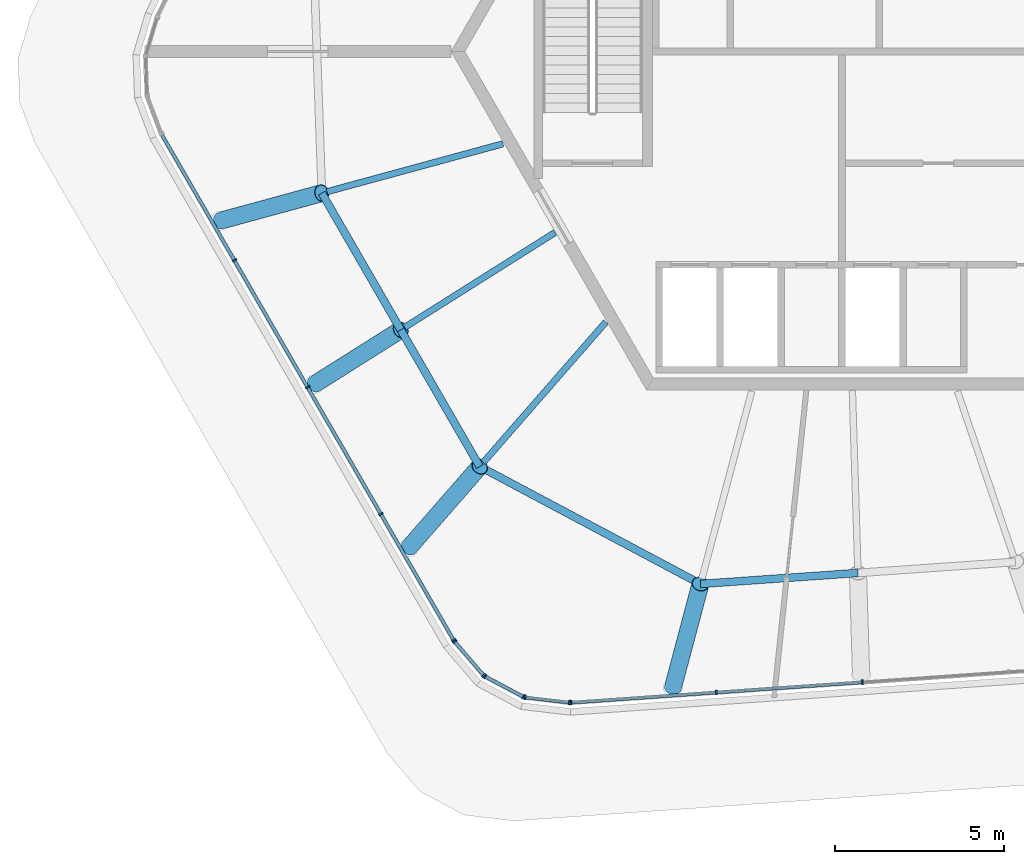
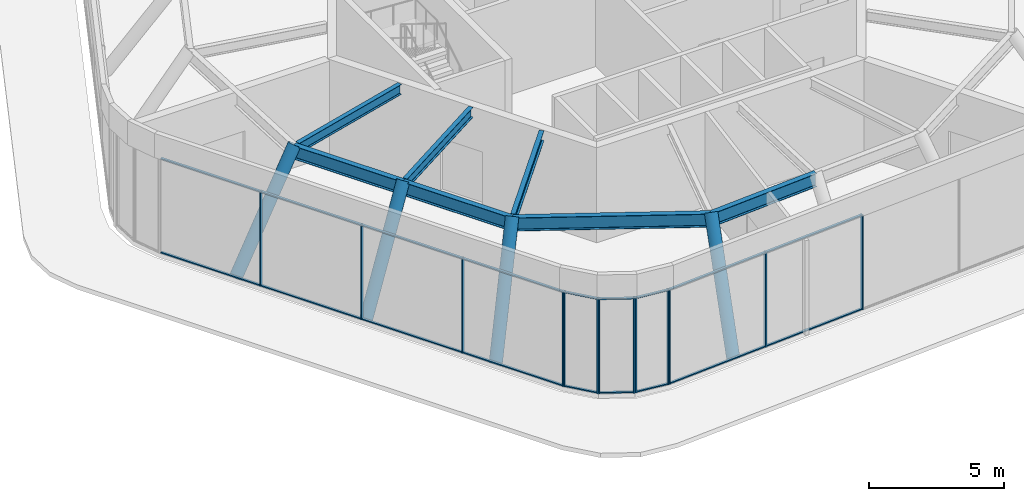
# One storey, part 1 of 12: 35 members, 7 beams, 5 elements without a shape of their own.
"""IFC4 building model written with IfcOpenShell, lengths in metres."""

from ifc_helpers import new_model, si_unit, direction, frame, origin, origin_2d, place, context, subcontext, project, spatial, rectangle, hollow_circle, i_section, extrude, material, material_profile, profile_set, type_object, element, aggregate, save


model = new_model("IFC4")

# Units and contexts
model_context = context("Model", 3, precision=1e-05, world=origin(), true_north=direction((0.0, 1.0)))
body_context = subcontext(model_context, "Body", "Model", "MODEL_VIEW")
ifc_project = project(units=[si_unit("LENGTHUNIT", "METRE"), si_unit("AREAUNIT", "SQUARE_METRE"), si_unit("VOLUMEUNIT", "CUBIC_METRE"), si_unit("PLANEANGLEUNIT", "RADIAN"), si_unit("MASSUNIT", "GRAM", prefix="KILO")], contexts=[model_context])

# Site, building, storey
site_placement = place(None, origin())
site = spatial("IfcSite", under=ifc_project, at=site_placement, CompositionType="ELEMENT")
building_placement = place(site_placement, origin())
building = spatial("IfcBuilding", under=site, at=building_placement, Name="Tarnside Tower", CompositionType="ELEMENT")
storey_placement = place(building_placement, frame((0.0, 0.0, 392.699951171875)))
storey = spatial("IfcBuildingStorey", under=building, at=storey_placement, Name="L93", CompositionType="ELEMENT", Elevation=392.699951171875)

# Curtain wall, members
ifc_material_1 = material(Name="Crown glazing wall", Category="glass")
curtain_wall_type = type_object("IfcCurtainWallType", Name="Crown glazing wall", PredefinedType="NOTDEFINED", material=ifc_material_1)
curtain_wall_1_placement = place(storey_placement, origin())
curtain_wall_1 = element("IfcCurtainWall", 1, at=curtain_wall_1_placement, inside=storey, type_object=curtain_wall_type, Name="Crown glazing L93 12", PredefinedType="NOTDEFINED")
ifc_material_2 = material(Name="Aluminium alloy 6063", Category="aluminium")
ifc_material_profile_1 = material_profile(ifc_material_2, rectangle(XDim=0.139892578125, YDim=0.050048828125, at=origin_2d()), Name="Crown glazing mullion 50 x 140")
ifc_profile_set_1 = profile_set([ifc_material_profile_1], Name="Aluminium alloy 6063")
member_type_1 = type_object("IfcMemberType", Name="Crown glazing mullion 50 x 140", PredefinedType="MULLION", material=ifc_profile_set_1)
member_1_placement = place(storey_placement, frame((0.603759765625, -18.63330078125, 0.0), z_axis=(0.0, 0.0, 1.0), x_axis=(0.069756473727, -0.997564050261, 0.0)))
member_1 = element("IfcMember", 2, at=member_1_placement, type_object=member_type_1, Name="CW6 mullion 3", PredefinedType="MULLION", context=body_context, shape_type="SweptSolid", body=[
    extrude(rectangle(XDim=0.139892578125, YDim=0.050048828125, at=origin_2d()), origin(), (0.0, 0.0, 1.0), 4.300048828125),
])
member_2_placement = place(storey_placement, frame((-3.713134765625, -18.93505859375, 0.0), z_axis=(0.0, 0.0, 1.0), x_axis=(0.069756473727, -0.997564050261, 0.0)))
member_2 = element("IfcMember", 3, at=member_2_placement, type_object=member_type_1, Name="CW6 mullion 4", PredefinedType="MULLION", context=body_context, shape_type="SweptSolid", body=[
    extrude(rectangle(XDim=0.139892578125, YDim=0.050048828125, at=origin_2d()), origin(), (0.0, 0.0, 1.0), 4.300048828125),
])
member_3_placement = place(storey_placement, frame((-8.005126953125, -19.2353515625, 0.0), z_axis=(0.0, 0.0, 1.0), x_axis=(0.069756473727, -0.997564050261, 0.0)))
member_3 = element("IfcMember", 4, at=member_3_placement, type_object=member_type_1, Name="CW6 mullion 5", PredefinedType="MULLION", context=body_context, shape_type="SweptSolid", body=[
    extrude(rectangle(XDim=0.139892578125, YDim=0.050048828125, at=origin_2d()), origin(), (0.0, 0.0, 1.0), 4.300048828125),
])

curtain_wall_2_placement = place(storey_placement, origin())
curtain_wall_2 = element("IfcCurtainWall", 5, at=curtain_wall_2_placement, inside=storey, type_object=curtain_wall_type, Name="Crown glazing L93 13", PredefinedType="NOTDEFINED")
member_4_placement = place(storey_placement, frame((-8.054931640625, -19.234130859375, 0.0), z_axis=(0.0, 0.0, 1.0), x_axis=(-0.116092914183, -0.993238357735, 0.0)))
member_4 = element("IfcMember", 6, at=member_4_placement, type_object=member_type_1, Name="CW6 mullion 1", PredefinedType="MULLION", context=body_context, shape_type="SweptSolid", body=[
    extrude(rectangle(XDim=0.139892578125, YDim=0.050048828125, at=origin_2d()), origin(), (0.0, 0.0, 1.0), 4.300048828125),
])
member_5_placement = place(storey_placement, frame((-9.359375, -19.08154296875, 0.0), z_axis=(0.0, 0.0, 1.0), x_axis=(-0.116092914183, -0.993238357735, 0.0)))
member_5 = element("IfcMember", 7, at=member_5_placement, type_object=member_type_1, Name="CW6 mullion 2", PredefinedType="MULLION", context=body_context, shape_type="SweptSolid", body=[
    extrude(rectangle(XDim=0.139892578125, YDim=0.050048828125, at=origin_2d()), origin(), (0.0, 0.0, 1.0), 4.300048828125),
])

curtain_wall_3_placement = place(storey_placement, origin())
curtain_wall_3 = element("IfcCurtainWall", 8, at=curtain_wall_3_placement, inside=storey, type_object=curtain_wall_type, Name="Crown glazing L93 14", PredefinedType="NOTDEFINED")
member_6_placement = place(storey_placement, frame((-9.40625, -19.06689453125, 0.0), z_axis=(0.0, 0.0, 1.0), x_axis=(-0.469471562524, -0.882947592998, 0.0)))
member_6 = element("IfcMember", 9, at=member_6_placement, type_object=member_type_1, Name="CW6 mullion 1", PredefinedType="MULLION", context=body_context, shape_type="SweptSolid", body=[
    extrude(rectangle(XDim=0.139892578125, YDim=0.050048828125, at=origin_2d()), origin(), (0.0, 0.0, 1.0), 4.300048828125),
])
member_7_placement = place(storey_placement, frame((-10.54736328125, -18.460205078125, 0.0), z_axis=(0.0, 0.0, 1.0), x_axis=(-0.469471562524, -0.882947592998, 0.0)))
member_7 = element("IfcMember", 10, at=member_7_placement, type_object=member_type_1, Name="CW6 mullion 2", PredefinedType="MULLION", context=body_context, shape_type="SweptSolid", body=[
    extrude(rectangle(XDim=0.139892578125, YDim=0.050048828125, at=origin_2d()), origin(), (0.0, 0.0, 1.0), 4.300048828125),
])

curtain_wall_4_placement = place(storey_placement, origin())
curtain_wall_4 = element("IfcCurtainWall", 11, at=curtain_wall_4_placement, inside=storey, type_object=curtain_wall_type, Name="Crown glazing L93 15", PredefinedType="NOTDEFINED")
member_8_placement = place(storey_placement, frame((-10.585693359375, -18.4296875, 0.0), z_axis=(0.0, 0.0, 1.0), x_axis=(-0.75851358355, -0.651657228588, 0.0)))
member_8 = element("IfcMember", 12, at=member_8_placement, type_object=member_type_1, Name="CW6 mullion 1", PredefinedType="MULLION", context=body_context, shape_type="SweptSolid", body=[
    extrude(rectangle(XDim=0.139892578125, YDim=0.050048828125, at=origin_2d()), origin(), (0.0, 0.0, 1.0), 4.300048828125),
])
member_9_placement = place(storey_placement, frame((-11.44140625, -17.433349609375, 0.0), z_axis=(0.0, 0.0, 1.0), x_axis=(-0.75851358355, -0.651657228588, 0.0)))
member_9 = element("IfcMember", 13, at=member_9_placement, type_object=member_type_1, Name="CW6 mullion 2", PredefinedType="MULLION", context=body_context, shape_type="SweptSolid", body=[
    extrude(rectangle(XDim=0.139892578125, YDim=0.050048828125, at=origin_2d()), origin(), (0.0, 0.0, 1.0), 4.300048828125),
])

curtain_wall_5_placement = place(storey_placement, origin())
curtain_wall_5 = element("IfcCurtainWall", 14, at=curtain_wall_5_placement, inside=storey, type_object=curtain_wall_type, Name="Crown glazing L93 16", PredefinedType="NOTDEFINED")
member_10_placement = place(storey_placement, frame((-11.47021484375, -17.392822265625, 0.0), z_axis=(0.0, 0.0, 1.0), x_axis=(-0.866025403758, -0.500000000045, 0.0)))
member_10 = element("IfcMember", 15, at=member_10_placement, type_object=member_type_1, Name="CW6 mullion 1", PredefinedType="MULLION", context=body_context, shape_type="SweptSolid", body=[
    extrude(rectangle(XDim=0.139892578125, YDim=0.050048828125, at=origin_2d()), origin(), (0.0, 0.0, 1.0), 4.300048828125),
])
member_11_placement = place(storey_placement, frame((-13.62158203125, -13.666748046875, 0.0), z_axis=(0.0, 0.0, 1.0), x_axis=(-0.866025403758, -0.500000000045, 0.0)))
member_11 = element("IfcMember", 16, at=member_11_placement, type_object=member_type_1, Name="CW6 mullion 2", PredefinedType="MULLION", context=body_context, shape_type="SweptSolid", body=[
    extrude(rectangle(XDim=0.139892578125, YDim=0.050048828125, at=origin_2d()), origin(), (0.0, 0.0, 1.0), 4.300048828125),
])
member_12_placement = place(storey_placement, frame((-15.785400390625, -9.9189453125, 0.0), z_axis=(0.0, 0.0, 1.0), x_axis=(-0.866025403758, -0.500000000045, 0.0)))
member_12 = element("IfcMember", 17, at=member_12_placement, type_object=member_type_1, Name="CW6 mullion 3", PredefinedType="MULLION", context=body_context, shape_type="SweptSolid", body=[
    extrude(rectangle(XDim=0.139892578125, YDim=0.050048828125, at=origin_2d()), origin(), (0.0, 0.0, 1.0), 4.300048828125),
])
member_13_placement = place(storey_placement, frame((-17.94921875, -6.171142578125, 0.0), z_axis=(0.0, 0.0, 1.0), x_axis=(-0.866025403758, -0.500000000045, 0.0)))
member_13 = element("IfcMember", 18, at=member_13_placement, type_object=member_type_1, Name="CW6 mullion 4", PredefinedType="MULLION", context=body_context, shape_type="SweptSolid", body=[
    extrude(rectangle(XDim=0.139892578125, YDim=0.050048828125, at=origin_2d()), origin(), (0.0, 0.0, 1.0), 4.300048828125),
])

# Member
ifc_material_profile_2 = material_profile(ifc_material_2, rectangle(XDim=0.10009765625, YDim=0.050048828125, at=origin_2d()), Name="Crown glazing transom 50 x 100")
ifc_profile_set_2 = profile_set([ifc_material_profile_2], Name="Aluminium alloy 6063")
member_type_2 = type_object("IfcMemberType", Name="Crown glazing transom 50 x 100", PredefinedType="USERDEFINED", material=ifc_profile_set_2)
member_14_placement = place(storey_placement, frame((0.578857421875, -18.635009765625, 0.025146484375), z_axis=(-0.997564768363, -0.069746203624, 0.0), x_axis=(0.069746203624, -0.997564768363, 0.0)))
member_14 = element("IfcMember", 19, at=member_14_placement, type_object=member_type_2, Name="CW6 transom 3.1", ObjectType="TRANSOM", PredefinedType="USERDEFINED", context=body_context, shape_type="SweptSolid", body=[
    extrude(rectangle(XDim=0.10009765625, YDim=0.050048828125, at=origin_2d()), origin(), (0.0, 0.0, 1.0), 4.277587890625),
])

member_15_placement = place(storey_placement, frame((0.578857421875, -18.635009765625, 4.275146484375), z_axis=(-0.997564768363, -0.069746203624, 0.0), x_axis=(0.069746203624, -0.997564768363, 0.0)))
member_15 = element("IfcMember", 20, at=member_15_placement, type_object=member_type_2, Name="CW6 transom 3.2", ObjectType="TRANSOM", PredefinedType="USERDEFINED", context=body_context, shape_type="SweptSolid", body=[
    extrude(rectangle(XDim=0.10009765625, YDim=0.050048828125, at=origin_2d()), origin(), (0.0, 0.0, 1.0), 4.277587890625),
])

member_16_placement = place(storey_placement, frame((-3.738037109375, -18.936767578125, 0.025146484375), z_axis=(-0.997560246693, -0.069810845993, 0.0), x_axis=(0.069810845993, -0.997560246693, 0.0)))
member_16 = element("IfcMember", 21, at=member_16_placement, type_object=member_type_2, Name="CW6 transom 4.1", ObjectType="TRANSOM", PredefinedType="USERDEFINED", context=body_context, shape_type="SweptSolid", body=[
    extrude(rectangle(XDim=0.10009765625, YDim=0.050048828125, at=origin_2d()), origin(), (0.0, 0.0, 1.0), 4.25244140625),
])

member_17_placement = place(storey_placement, frame((-3.738037109375, -18.936767578125, 4.275146484375), z_axis=(-0.997560246693, -0.069810845993, 0.0), x_axis=(0.069810845993, -0.997560246693, 0.0)))
member_17 = element("IfcMember", 22, at=member_17_placement, type_object=member_type_2, Name="CW6 transom 4.2", ObjectType="TRANSOM", PredefinedType="USERDEFINED", context=body_context, shape_type="SweptSolid", body=[
    extrude(rectangle(XDim=0.10009765625, YDim=0.050048828125, at=origin_2d()), origin(), (0.0, 0.0, 1.0), 4.25244140625),
])

aggregate(curtain_wall_1, [member_1, member_2, member_3, member_14, member_15, member_16, member_17])

member_18_placement = place(storey_placement, frame((-8.079833984375, -19.231201171875, 0.025146484375), z_axis=(-0.993230844272, 0.116157177935, 0.0), x_axis=(-0.116157177935, -0.993230844272, 0.0)))
member_18 = element("IfcMember", 23, at=member_18_placement, type_object=member_type_2, Name="CW6 transom 1.1", ObjectType="TRANSOM", PredefinedType="USERDEFINED", context=body_context, shape_type="SweptSolid", body=[
    extrude(rectangle(XDim=0.10009765625, YDim=0.050048828125, at=origin_2d()), origin(), (0.0, 0.0, 1.0), 1.26318359375),
])

member_19_placement = place(storey_placement, frame((-8.079833984375, -19.231201171875, 4.275146484375), z_axis=(-0.993230844272, 0.116157177935, 0.0), x_axis=(-0.116157177935, -0.993230844272, 0.0)))
member_19 = element("IfcMember", 24, at=member_19_placement, type_object=member_type_2, Name="CW6 transom 1.2", ObjectType="TRANSOM", PredefinedType="USERDEFINED", context=body_context, shape_type="SweptSolid", body=[
    extrude(rectangle(XDim=0.10009765625, YDim=0.050048828125, at=origin_2d()), origin(), (0.0, 0.0, 1.0), 1.26318359375),
])

aggregate(curtain_wall_2, [member_4, member_5, member_18, member_19])

member_20_placement = place(storey_placement, frame((-9.42822265625, -19.05517578125, 0.025146484375), z_axis=(-0.882988490204, 0.469394637983, 0.0), x_axis=(-0.469394637983, -0.882988490204, 0.0)))
member_20 = element("IfcMember", 25, at=member_20_placement, type_object=member_type_2, Name="CW6 transom 1.1", ObjectType="TRANSOM", PredefinedType="USERDEFINED", context=body_context, shape_type="SweptSolid", body=[
    extrude(rectangle(XDim=0.10009765625, YDim=0.050048828125, at=origin_2d()), origin(), (0.0, 0.0, 1.0), 1.24267578125),
])

member_21_placement = place(storey_placement, frame((-9.42822265625, -19.05517578125, 4.275146484375), z_axis=(-0.882988490204, 0.469394637983, 0.0), x_axis=(-0.469394637983, -0.882988490204, 0.0)))
member_21 = element("IfcMember", 26, at=member_21_placement, type_object=member_type_2, Name="CW6 transom 1.2", ObjectType="TRANSOM", PredefinedType="USERDEFINED", context=body_context, shape_type="SweptSolid", body=[
    extrude(rectangle(XDim=0.10009765625, YDim=0.050048828125, at=origin_2d()), origin(), (0.0, 0.0, 1.0), 1.24267578125),
])

aggregate(curtain_wall_3, [member_6, member_7, member_20, member_21])

member_22_placement = place(storey_placement, frame((-10.60205078125, -18.41064453125, 0.025146484375), z_axis=(-0.65165036566, 0.758519479602, 0.0), x_axis=(-0.758519479602, -0.65165036566, 0.0)))
member_22 = element("IfcMember", 27, at=member_22_placement, type_object=member_type_2, Name="CW6 transom 1.1", ObjectType="TRANSOM", PredefinedType="USERDEFINED", context=body_context, shape_type="SweptSolid", body=[
    extrude(rectangle(XDim=0.10009765625, YDim=0.050048828125, at=origin_2d()), origin(), (0.0, 0.0, 1.0), 1.263427734375),
])

member_23_placement = place(storey_placement, frame((-10.60205078125, -18.41064453125, 4.275146484375), z_axis=(-0.65165036566, 0.758519479602, 0.0), x_axis=(-0.758519479602, -0.65165036566, 0.0)))
member_23 = element("IfcMember", 28, at=member_23_placement, type_object=member_type_2, Name="CW6 transom 1.2", ObjectType="TRANSOM", PredefinedType="USERDEFINED", context=body_context, shape_type="SweptSolid", body=[
    extrude(rectangle(XDim=0.10009765625, YDim=0.050048828125, at=origin_2d()), origin(), (0.0, 0.0, 1.0), 1.263427734375),
])

aggregate(curtain_wall_4, [member_8, member_9, member_22, member_23])

member_24_placement = place(storey_placement, frame((-11.48291015625, -17.37109375, 0.025146484375), z_axis=(-0.500010702031, 0.866019224876, 0.0), x_axis=(-0.866019224876, -0.500010702031, 0.0)))
member_24 = element("IfcMember", 29, at=member_24_placement, type_object=member_type_2, Name="CW6 transom 1.1", ObjectType="TRANSOM", PredefinedType="USERDEFINED", context=body_context, shape_type="SweptSolid", body=[
    extrude(rectangle(XDim=0.10009765625, YDim=0.050048828125, at=origin_2d()), origin(), (0.0, 0.0, 1.0), 4.25244140625),
])

member_25_placement = place(storey_placement, frame((-11.48291015625, -17.37109375, 4.275146484375), z_axis=(-0.500010702031, 0.866019224876, 0.0), x_axis=(-0.866019224876, -0.500010702031, 0.0)))
member_25 = element("IfcMember", 30, at=member_25_placement, type_object=member_type_2, Name="CW6 transom 1.2", ObjectType="TRANSOM", PredefinedType="USERDEFINED", context=body_context, shape_type="SweptSolid", body=[
    extrude(rectangle(XDim=0.10009765625, YDim=0.050048828125, at=origin_2d()), origin(), (0.0, 0.0, 1.0), 4.25244140625),
])

member_26_placement = place(storey_placement, frame((-13.634033203125, -13.64501953125, 0.025146484375), z_axis=(-0.500037000009, 0.866004040765, 0.0), x_axis=(-0.866004040765, -0.500037000009, 0.0)))
member_26 = element("IfcMember", 31, at=member_26_placement, type_object=member_type_2, Name="CW6 transom 2.1", ObjectType="TRANSOM", PredefinedType="USERDEFINED", context=body_context, shape_type="SweptSolid", body=[
    extrude(rectangle(XDim=0.10009765625, YDim=0.050048828125, at=origin_2d()), origin(), (0.0, 0.0, 1.0), 4.277587890625),
])

member_27_placement = place(storey_placement, frame((-13.634033203125, -13.64501953125, 4.275146484375), z_axis=(-0.500037000009, 0.866004040765, 0.0), x_axis=(-0.866004040765, -0.500037000009, 0.0)))
member_27 = element("IfcMember", 32, at=member_27_placement, type_object=member_type_2, Name="CW6 transom 2.2", ObjectType="TRANSOM", PredefinedType="USERDEFINED", context=body_context, shape_type="SweptSolid", body=[
    extrude(rectangle(XDim=0.10009765625, YDim=0.050048828125, at=origin_2d()), origin(), (0.0, 0.0, 1.0), 4.277587890625),
])

member_28_placement = place(storey_placement, frame((-15.7978515625, -9.897216796875, 0.025146484375), z_axis=(-0.499994193788, 0.866028755976, 0.0), x_axis=(-0.866028755976, -0.499994193788, 0.0)))
member_28 = element("IfcMember", 33, at=member_28_placement, type_object=member_type_2, Name="CW6 transom 3.1", ObjectType="TRANSOM", PredefinedType="USERDEFINED", context=body_context, shape_type="SweptSolid", body=[
    extrude(rectangle(XDim=0.10009765625, YDim=0.050048828125, at=origin_2d()), origin(), (0.0, 0.0, 1.0), 4.27734375),
])

member_29_placement = place(storey_placement, frame((-15.7978515625, -9.897216796875, 4.275146484375), z_axis=(-0.499994193788, 0.866028755976, 0.0), x_axis=(-0.866028755976, -0.499994193788, 0.0)))
member_29 = element("IfcMember", 34, at=member_29_placement, type_object=member_type_2, Name="CW6 transom 3.2", ObjectType="TRANSOM", PredefinedType="USERDEFINED", context=body_context, shape_type="SweptSolid", body=[
    extrude(rectangle(XDim=0.10009765625, YDim=0.050048828125, at=origin_2d()), origin(), (0.0, 0.0, 1.0), 4.27734375),
])

member_30_placement = place(storey_placement, frame((-17.961669921875, -6.149658203125, 0.025146484375), z_axis=(-0.499985842104, 0.866033577695, 0.0), x_axis=(-0.866033577695, -0.499985842104, 0.0)))
member_30 = element("IfcMember", 35, at=member_30_placement, type_object=member_type_2, Name="CW6 transom 4.1", ObjectType="TRANSOM", PredefinedType="USERDEFINED", context=body_context, shape_type="SweptSolid", body=[
    extrude(rectangle(XDim=0.10009765625, YDim=0.050048828125, at=origin_2d()), origin(), (0.0, 0.0, 1.0), 4.25244140625),
])

member_31_placement = place(storey_placement, frame((-17.961669921875, -6.149658203125, 4.275146484375), z_axis=(-0.499985842104, 0.866033577695, 0.0), x_axis=(-0.866033577695, -0.499985842104, 0.0)))
member_31 = element("IfcMember", 36, at=member_31_placement, type_object=member_type_2, Name="CW6 transom 4.2", ObjectType="TRANSOM", PredefinedType="USERDEFINED", context=body_context, shape_type="SweptSolid", body=[
    extrude(rectangle(XDim=0.10009765625, YDim=0.050048828125, at=origin_2d()), origin(), (0.0, 0.0, 1.0), 4.25244140625),
])

aggregate(curtain_wall_5, [member_10, member_11, member_12, member_13, member_24, member_25, member_26, member_27, member_28, member_29, member_30, member_31])

# Beams
ifc_material_3 = material(Name="Steel S355", Category="steel")
ifc_material_profile_3 = material_profile(ifc_material_3, i_section(OverallWidth=0.18994140625, OverallDepth=0.453369140625, WebThickness=0.008544921875, FlangeThickness=0.0126953125, FilletRadius=0.01025390625, at=origin_2d()), Name="UB 457x191x67")
ifc_profile_set_3 = profile_set([ifc_material_profile_3], Name="Steel S355")
beam_type_1 = type_object("IfcBeamType", Name="Floor beam UB 457x191x67", PredefinedType="BEAM", material=ifc_profile_set_3)
beam_1_placement = place(storey_placement, frame((-15.21484375, -4.142333984375, 4.0732421875), z_axis=(0.964882951139, 0.262680205956, 0.0), x_axis=(-0.262680205956, 0.964882951139, 0.0)))
element("IfcBeam", 37, at=beam_1_placement, inside=storey, type_object=beam_type_1, Name="Floor beam RB7", PredefinedType="BEAM", context=body_context, shape_type="SweptSolid", body=[
    extrude(i_section(OverallWidth=0.18994140625, OverallDepth=0.453369140625, WebThickness=0.008544921875, FlangeThickness=0.0126953125, FilletRadius=0.01025390625, at=origin_2d()), origin(), (0.0, 0.0, 1.0), 5.386962890625),
])
beam_2_placement = place(storey_placement, frame((-12.921875, -8.151123046875, 4.0732421875), z_axis=(0.845799255141, 0.533501283975, 0.0), x_axis=(-0.533501283975, 0.845799255141, 0.0)))
element("IfcBeam", 38, at=beam_2_placement, inside=storey, type_object=beam_type_1, Name="Floor beam RB8", PredefinedType="BEAM", context=body_context, shape_type="SweptSolid", body=[
    extrude(i_section(OverallWidth=0.18994140625, OverallDepth=0.453369140625, WebThickness=0.008544921875, FlangeThickness=0.0126953125, FilletRadius=0.01025390625, at=origin_2d()), origin(), (0.0, 0.0, 1.0), 5.250244140625),
])
beam_3_placement = place(storey_placement, frame((-10.597900390625, -12.140869140625, 4.0732421875), z_axis=(0.657603335996, 0.753364355732, 0.0), x_axis=(-0.753364355732, 0.657603335996, 0.0)))
element("IfcBeam", 39, at=beam_3_placement, inside=storey, type_object=beam_type_1, Name="Floor beam RB9", PredefinedType="BEAM", context=body_context, shape_type="SweptSolid", body=[
    extrude(i_section(OverallWidth=0.18994140625, OverallDepth=0.453369140625, WebThickness=0.008544921875, FlangeThickness=0.0126953125, FilletRadius=0.01025390625, at=origin_2d()), origin(), (0.0, 0.0, 1.0), 5.5068359375),
])
ifc_material_profile_4 = material_profile(ifc_material_3, i_section(OverallWidth=0.2275390625, OverallDepth=0.6025390625, WebThickness=0.010498046875, FlangeThickness=0.014892578125, FilletRadius=0.0126953125, at=origin_2d()), Name="UB 610x229x101")
ifc_profile_set_4 = profile_set([ifc_material_profile_4], Name="Steel S355")
beam_type_2 = type_object("IfcBeamType", Name="Floor beam UB 610x229x101", PredefinedType="BEAM", material=ifc_profile_set_4)
for number, where, z_axis, x_axis, name in (
    (40, (-15.366943359375, -4.18359375, 3.998779296875), (0.499973190387, -0.866040881768, 0.0), (0.866040881768, 0.499973190387, 0.0), "Floor beam R7"),
    (41, (-13.03515625, -8.22265625, 3.998779296875), (0.500035118921, -0.866005126917, 0.0), (0.866005126917, 0.500035118921, 0.0), "Floor beam R8"),
):
    element("IfcBeam", number, at=place(storey_placement, frame(where, z_axis=z_axis, x_axis=x_axis)), inside=storey, type_object=beam_type_2, Name=name, PredefinedType="BEAM", context=body_context, shape_type="SweptSolid", body=[
        extrude(i_section(OverallWidth=0.2275390625, OverallDepth=0.6025390625, WebThickness=0.010498046875, FlangeThickness=0.014892578125, FilletRadius=0.0126953125, at=origin_2d()), origin(), (0.0, 0.0, 1.0), 4.663818359375),
    ])
beam_4_placement = place(storey_placement, frame((-10.703125, -12.261474609375, 3.998779296875), z_axis=(0.882936806438, -0.469491848531, 0.0), x_axis=(0.469491848531, 0.882936806438, 0.0)))
element("IfcBeam", 42, at=beam_4_placement, inside=storey, type_object=beam_type_2, Name="Floor beam R9", PredefinedType="BEAM", context=body_context, shape_type="SweptSolid", body=[
    extrude(i_section(OverallWidth=0.2275390625, OverallDepth=0.6025390625, WebThickness=0.010498046875, FlangeThickness=0.014892578125, FilletRadius=0.0126953125, at=origin_2d()), origin(), (0.0, 0.0, 1.0), 7.3876953125),
])
beam_5_placement = place(storey_placement, frame((-4.18017578125, -15.72998046875, 3.998779296875), z_axis=(0.997562575716, 0.069777557508, 0.0), x_axis=(-0.069777557508, 0.997562575716, 0.0)))
element("IfcBeam", 43, at=beam_5_placement, inside=storey, type_object=beam_type_2, Name="Floor beam R10", PredefinedType="BEAM", context=body_context, shape_type="SweptSolid", body=[
    extrude(i_section(OverallWidth=0.2275390625, OverallDepth=0.6025390625, WebThickness=0.010498046875, FlangeThickness=0.014892578125, FilletRadius=0.0126953125, at=origin_2d()), origin(), (0.0, 0.0, 1.0), 4.6640625),
])

# Members
ifc_material_profile_5 = material_profile(ifc_material_3, hollow_circle(Radius=0.25390625, WallThickness=0.01611328125, at=origin_2d()), Name="CHS 508x16")
ifc_profile_set_5 = profile_set([ifc_material_profile_5], Name="Steel S355")
member_type_3 = type_object("IfcMemberType", Name="Truss diagonal CHS 508x16", PredefinedType="BRACE", material=ifc_profile_set_5)
member_32_placement = place(storey_placement, frame((-18.360595703125, -4.998779296875, -0.199951171875), z_axis=(0.547692301454, 0.149139177504, 0.823280419214), x_axis=(-0.262737869126, 0.964867251039, 0.0)))
element("IfcMember", 44, at=member_32_placement, inside=storey, type_object=member_type_3, Name="Crown leg L93 7", PredefinedType="BRACE", context=body_context, shape_type="SweptSolid", body=[
    extrude(hollow_circle(Radius=0.25390625, WallThickness=0.01611328125, at=origin_2d()), origin(), (0.0, 0.0, 1.0), 5.4658203125),
])
member_33_placement = place(storey_placement, frame((-15.574462890625, -9.824462890625, -0.199951171875), z_axis=(0.469406741932, 0.296103993252, 0.831853193664), x_axis=(-0.533524809985, 0.84578441528, 0.0)))
element("IfcMember", 45, at=member_33_placement, inside=storey, type_object=member_type_3, Name="Crown leg L93 8", PredefinedType="BRACE", context=body_context, shape_type="SweptSolid", body=[
    extrude(hollow_circle(Radius=0.25390625, WallThickness=0.01611328125, at=origin_2d()), origin(), (0.0, 0.0, 1.0), 5.40966796875),
])
member_34_placement = place(storey_placement, frame((-12.788330078125, -14.650146484375, -0.199951171875), z_axis=(0.378791293319, 0.433918044004, 0.817454761558), x_axis=(-0.753339346125, 0.657631986433, 0.0)))
element("IfcMember", 46, at=member_34_placement, inside=storey, type_object=member_type_3, Name="Crown leg L93 9", PredefinedType="BRACE", context=body_context, shape_type="SweptSolid", body=[
    extrude(hollow_circle(Radius=0.25390625, WallThickness=0.01611328125, at=origin_2d()), origin(), (0.0, 0.0, 1.0), 5.5048828125),
])
member_35_placement = place(storey_placement, frame((-4.994384765625, -18.794189453125, -0.199951171875), z_axis=(0.147910157865, 0.556647793512, 0.817475271295), x_axis=(-0.966463330835, 0.25680465368, 0.0)))
element("IfcMember", 47, at=member_35_placement, inside=storey, type_object=member_type_3, Name="Crown leg L93 10", PredefinedType="BRACE", context=body_context, shape_type="SweptSolid", body=[
    extrude(hollow_circle(Radius=0.25390625, WallThickness=0.01611328125, at=origin_2d()), origin(), (0.0, 0.0, 1.0), 5.504638671875),
])

save(model, "model.ifc")
